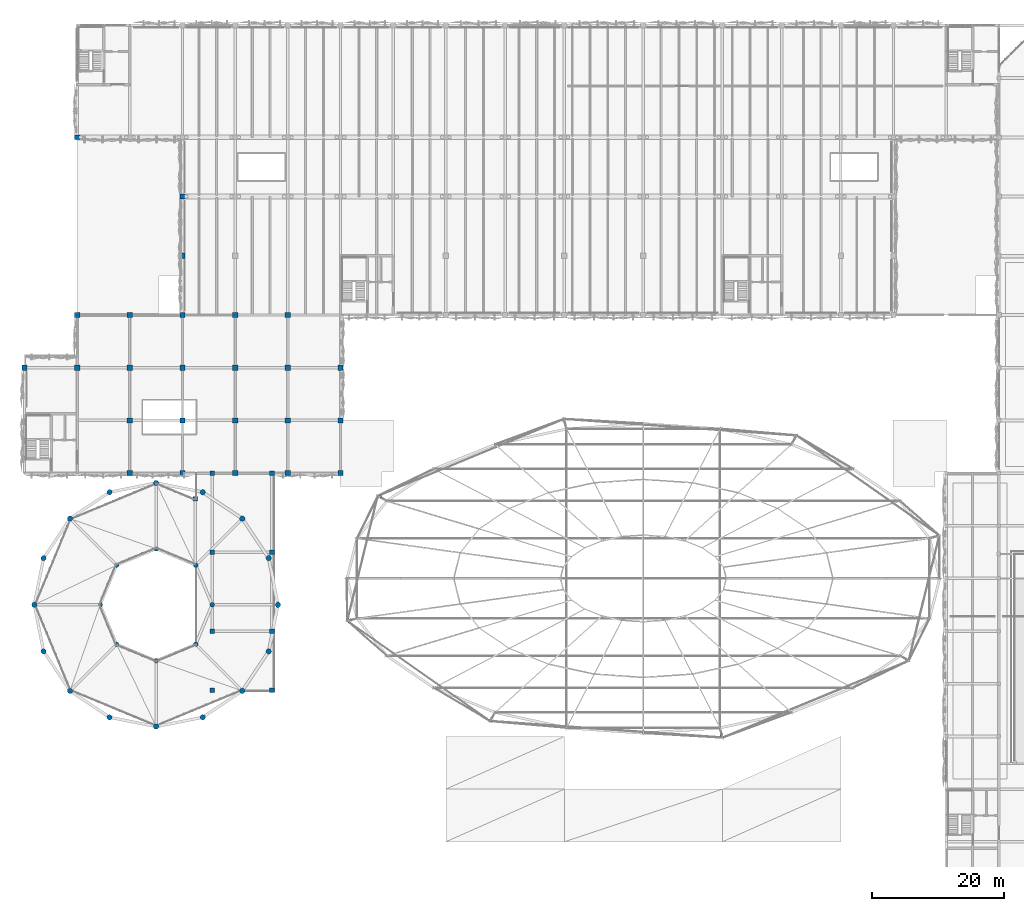
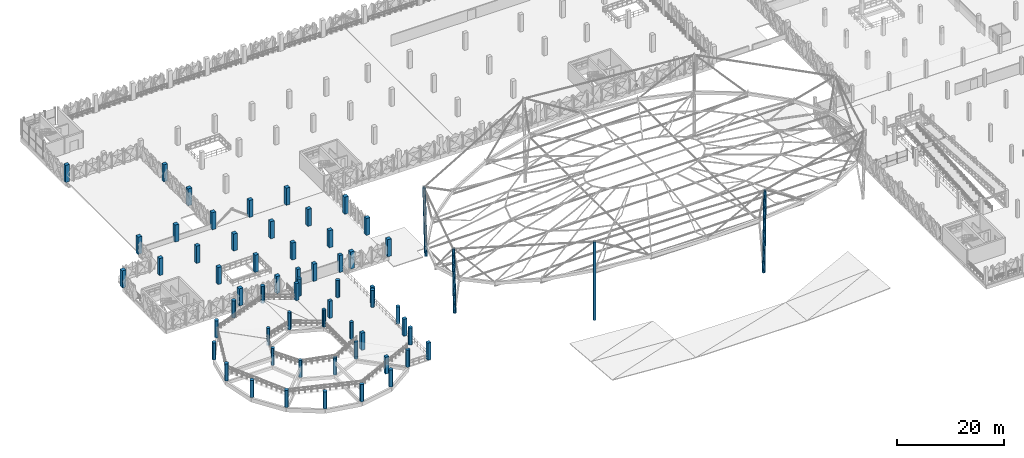
# One storey, part 1 of 96: 62 columns.
"""IFC4 building model written with IfcOpenShell, lengths in metres."""

from ifc_helpers import new_model, si_unit, derived_unit, direction, frame, origin, origin_2d, place, context, subcontext, project, spatial, rectangle, circle, hollow_circle, extrude, material, material_profile, profile_set, type_object, element, save


model = new_model("IFC4")

# Units and contexts
model_context = context("Model", 3, precision=1e-05, world=origin(), true_north=direction((0.0, 1.0)))
body_context = subcontext(model_context, "Body", "Model", "MODEL_VIEW")
ifc_project = project(units=[si_unit("LENGTHUNIT", "METRE"), si_unit("AREAUNIT", "SQUARE_METRE"), si_unit("VOLUMEUNIT", "CUBIC_METRE"), si_unit("PLANEANGLEUNIT", "RADIAN"), si_unit("MASSUNIT", "GRAM", prefix="KILO"), si_unit("THERMODYNAMICTEMPERATUREUNIT", "KELVIN"), derived_unit("THERMALTRANSMITTANCEUNIT", [(si_unit("POWERUNIT", "WATT"), 1), (si_unit("AREAUNIT", "SQUARE_METRE"), -1), (si_unit("THERMODYNAMICTEMPERATUREUNIT", "KELVIN"), -1)])], contexts=[model_context])

# Site, building, storey
site_placement = place(None, origin())
site = spatial("IfcSite", under=ifc_project, at=site_placement, CompositionType="ELEMENT")
building_placement = place(site_placement, origin())
building = spatial("IfcBuilding", under=site, at=building_placement, Name="Haiyu Intermodal Mobility Hub", CompositionType="ELEMENT")
storey_placement = place(building_placement, frame((0.0, 0.0, 9.5)))
storey = spatial("IfcBuildingStorey", under=building, at=storey_placement, Name="L02", CompositionType="ELEMENT", Elevation=9.5)

# Columns
ifc_material_1 = material(Name="Precast concrete C40", Category="concrete")
ifc_material_profile_1 = material_profile(ifc_material_1, rectangle(XDim=0.800048828125, YDim=0.800048828125, at=origin_2d()), Name="RC800x800")
ifc_profile_set_1 = profile_set([ifc_material_profile_1], Name="Precast concrete C40")
column_type_1 = type_object("IfcColumnType", Name="COL-CC02", PredefinedType="COLUMN", material=ifc_profile_set_1)
for number, where, z_axis, x_axis, name in (
    (1, (38.0, 113.0, 0.0), (0.0, 0.0, 1.0), (1.0, 0.0, 0.0), "Column V3S-4N L02"),
    (2, (22.0, 96.0, 0.0), (0.0, 0.0, 1.0), (1.0, 0.0, 0.0), "Column V4W-2L L02"),
    (3, (30.0, 88.0, 0.0), (0.0, 0.0, 1.0), (1.0, 0.0, 0.0), "Column V4W-3K L02"),
    (4, (30.0, 96.0, 0.0), (0.0, 0.0, 1.0), (1.0, 0.0, 0.0), "Column V4W-3L L02"),
    (5, (38.0, 88.0, 0.0), (0.0, 0.0, 1.0), (1.0, 0.0, 0.0), "Column V4W-4K L02"),
    (6, (38.0, 96.0, 0.0), (0.0, 0.0, 1.0), (1.0, 0.0, 0.0), "Column V4W-4L L02"),
    (7, (46.0, 88.0, 0.0), (0.0, 0.0, 1.0), (1.0, 0.0, 0.0), "Column V4W-5K L02"),
    (8, (46.0, 96.0, 0.0), (0.0, 0.0, 1.0), (1.0, 0.0, 0.0), "Column V4W-5L L02"),
    (9, (54.0, 88.0, 0.0), (0.0, 0.0, 1.0), (1.0, 0.0, 0.0), "Column V4W-6K L02"),
    (10, (54.0, 96.0, 0.0), (0.0, 0.0, 1.0), (1.0, 0.0, 0.0), "Column V4W-6L L02"),
):
    element("IfcColumn", number, at=place(storey_placement, frame(where, z_axis=z_axis, x_axis=x_axis)), inside=storey, type_object=column_type_1, Name=name, PredefinedType="COLUMN", context=body_context, shape_type="SweptSolid", body=[
        extrude(rectangle(XDim=0.800048828125, YDim=0.800048828125, at=origin_2d()), origin(), (0.0, 0.0, 1.0), 3.89990234375),
    ])
ifc_material_profile_2 = material_profile(ifc_material_1, rectangle(XDim=0.800048828125, YDim=0.800048828125, at=origin_2d()), Name="RC800x800")
ifc_profile_set_2 = profile_set([ifc_material_profile_2], Name="Precast concrete C40")
column_type_2 = type_object("IfcColumnType", Name="COL-CC02-EXT", PredefinedType="COLUMN", material=ifc_profile_set_2)
for number, where, z_axis, x_axis, name in (
    (11, (22.0, 104.0, 0.0), (0.0, 0.0, 1.0), (1.0, 0.0, 0.0), "Column V4-2M L02"),
    (12, (30.0, 104.0, 0.0), (0.0, 0.0, 1.0), (1.0, 0.0, 0.0), "Column V4-3M L02"),
    (13, (38.0, 104.0, 0.0), (0.0, 0.0, 1.0), (1.0, 0.0, 0.0), "Column V4-4M L02"),
    (14, (46.0, 104.0, 0.0), (0.0, 0.0, 1.0), (1.0, 0.0, 0.0), "Column V4-5M L02"),
    (15, (54.0, 104.0, 0.0), (0.0, 0.0, 1.0), (1.0, 0.0, 0.0), "Column V4-6M L02"),
    (16, (14.0, 96.0, 0.0), (0.0, 0.0, 1.0), (1.0, 0.0, 0.0), "Column V4W-1L L02"),
    (17, (30.0, 80.0, 0.0), (0.0, 0.0, 1.0), (1.0, 0.0, 0.0), "Column V4W-3J L02"),
    (18, (38.0, 80.0, 0.0), (0.0, 0.0, 1.0), (1.0, 0.0, 0.0), "Column V4W-4J L02"),
    (19, (46.0, 80.0, 0.0), (0.0, 0.0, 1.0), (1.0, 0.0, 0.0), "Column V4W-5J L02"),
    (20, (54.0, 80.0, 0.0), (0.0, 0.0, 1.0), (1.0, 0.0, 0.0), "Column V4W-6J L02"),
    (21, (62.0, 80.0, 0.0), (0.0, 0.0, 1.0), (1.0, 0.0, 0.0), "Column V4W-7J L02"),
    (22, (62.0, 88.0, 0.0), (0.0, 0.0, 1.0), (1.0, 0.0, 0.0), "Column V4W-7K L02"),
    (23, (62.0, 96.0, 0.0), (0.0, 0.0, 1.0), (1.0, 0.0, 0.0), "Column V4W-7L L02"),
):
    element("IfcColumn", number, at=place(storey_placement, frame(where, z_axis=z_axis, x_axis=x_axis)), inside=storey, type_object=column_type_2, Name=name, PredefinedType="COLUMN", context=body_context, shape_type="SweptSolid", body=[
        extrude(rectangle(XDim=0.800048828125, YDim=0.800048828125, at=origin_2d()), origin(), (0.0, 0.0, 1.0), 3.89990234375),
    ])
ifc_material_2 = material(Name="Concrete C40", Category="concrete")
ifc_material_profile_3 = material_profile(ifc_material_2, rectangle(XDim=0.699951171875, YDim=0.699951171875, at=origin_2d()), Name="RC700x700")
ifc_profile_set_3 = profile_set([ifc_material_profile_3], Name="Concrete C40")
column_type_3 = type_object("IfcColumnType", Name="COL-CC08", PredefinedType="COLUMN", material=ifc_profile_set_3)
for number, where, z_axis, x_axis, name in (
    (24, (51.60009765625, 47.0, 0.0), (0.0, 0.0, 1.0), (1.0, 0.0, 0.0), "Column V2L-1 L02"),
    (25, (42.5, 47.0, 0.0), (0.0, 0.0, 1.0), (1.0, 0.0, 0.0), "Column V2LW-1 L02"),
    (26, (51.60009765625, 56.0, 0.0), (0.0, 0.0, 1.0), (1.0, 0.0, 0.0), "Column V2L-2 L02"),
    (27, (42.5, 56.0, 0.0), (0.0, 0.0, 1.0), (1.0, 0.0, 0.0), "Column V2LW-2 L02"),
    (28, (51.60009765625, 68.0, 0.0), (0.0, 0.0, 1.0), (1.0, 0.0, 0.0), "Column V2L-3 L02"),
    (29, (42.5, 68.0, 0.0), (0.0, 0.0, 1.0), (1.0, 0.0, 0.0), "Column V2LW-3 L02"),
    (30, (51.60009765625, 80.0, 0.0), (0.0, 0.0, 1.0), (1.0, 0.0, 0.0), "Column V2L-4 L02"),
    (31, (42.5, 80.0, 0.0), (0.0, 0.0, 1.0), (1.0, 0.0, 0.0), "Column V2LW-4 L02"),
    (32, (39.93994140625, 76.10009765625, 0.0), (0.0, 0.0, 1.0), (1.0, 0.0, 0.0), "Column V2LW-N L02"),
):
    element("IfcColumn", number, at=place(storey_placement, frame(where, z_axis=z_axis, x_axis=x_axis)), inside=storey, type_object=column_type_3, Name=name, PredefinedType="COLUMN", context=body_context, shape_type="SweptSolid", body=[
        extrude(rectangle(XDim=0.699951171875, YDim=0.699951171875, at=origin_2d()), origin(), (0.0, 0.0, 1.0), 3.89990234375),
    ])
ifc_material_profile_4 = material_profile(ifc_material_1, rectangle(XDim=0.800048828125, YDim=0.699951171875, at=origin_2d()), Name="C800x700")
ifc_profile_set_4 = profile_set([ifc_material_profile_4], Name="Precast concrete C40")
column_type_4 = type_object("IfcColumnType", Name="COL-CC20", PredefinedType="COLUMN", material=ifc_profile_set_4)
column_1_placement = place(storey_placement, frame((38.0, 122.0, 0.0), z_axis=(0.0, 0.0, 1.0), x_axis=(1.0, 0.0, 0.0)))
element("IfcColumn", 33, at=column_1_placement, inside=storey, type_object=column_type_4, Name="Column V4-4P L02", PredefinedType="COLUMN", context=body_context, shape_type="SweptSolid", body=[
    extrude(rectangle(XDim=0.800048828125, YDim=0.699951171875, at=origin_2d()), origin(), (0.0, 0.0, 1.0), 3.89990234375),
])
ifc_material_profile_5 = material_profile(ifc_material_1, rectangle(XDim=0.800048828125, YDim=0.699951171875, at=origin_2d()), Name="C800x700")
ifc_profile_set_5 = profile_set([ifc_material_profile_5], Name="Precast concrete C40")
column_type_5 = type_object("IfcColumnType", Name="COL-CC20-EXT", PredefinedType="COLUMN", material=ifc_profile_set_5)
column_2_placement = place(storey_placement, frame((22.0, 131.0, 0.0), z_axis=(0.0, 0.0, 1.0), x_axis=(1.0, 0.0, 0.0)))
element("IfcColumn", 34, at=column_2_placement, inside=storey, type_object=column_type_5, Name="Column V4-2Q L02", PredefinedType="COLUMN", context=body_context, shape_type="SweptSolid", body=[
    extrude(rectangle(XDim=0.800048828125, YDim=0.699951171875, at=origin_2d()), origin(), (0.0, 0.0, 1.0), 3.89990234375),
])
ifc_material_profile_6 = material_profile(ifc_material_2, circle(Radius=0.39990234375, at=origin_2d()), Name="RCCOL-D800")
ifc_profile_set_6 = profile_set([ifc_material_profile_6], Name="Concrete C40")
column_type_6 = type_object("IfcColumnType", Name="COL-CR01-EXT", PredefinedType="COLUMN", material=ifc_profile_set_6)
for number, where, z_axis, x_axis, name in (
    (35, (52.5, 60.0, 0.0), (0.0, 0.0, 1.0), (1.0, 0.0, 0.0), "Column V2O-01 L02"),
    (36, (51.092041015625, 67.080078125, 0.0), (0.0, 0.0, 1.0), (1.0, 0.0, 0.0), "Column V2O-02 L02"),
    (37, (47.0810546875, 73.0810546875, 0.0), (0.0, 0.0, 1.0), (1.0, 0.0, 0.0), "Column V2O-03 L02"),
    (38, (41.080078125, 77.092041015625, 0.0), (0.0, 0.0, 1.0), (1.0, 0.0, 0.0), "Column V2O-04 L02"),
    (39, (34.0, 78.5, 0.0), (0.0, 0.0, 1.0), (1.0, 0.0, 0.0), "Column V2O-05 L02"),
    (40, (26.919921875, 77.092041015625, 0.0), (0.0, 0.0, 1.0), (1.0, 0.0, 0.0), "Column V2O-06 L02"),
    (41, (20.9189453125, 73.0810546875, 0.0), (0.0, 0.0, 1.0), (1.0, 0.0, 0.0), "Column V2O-07 L02"),
    (42, (16.907958984375, 67.080078125, 0.0), (0.0, 0.0, 1.0), (1.0, 0.0, 0.0), "Column V2O-08 L02"),
    (43, (15.5, 60.0, 0.0), (0.0, 0.0, 1.0), (1.0, 0.0, 0.0), "Column V2O-09 L02"),
    (44, (16.907958984375, 52.919921875, 0.0), (0.0, 0.0, 1.0), (1.0, 0.0, 0.0), "Column V2O-10 L02"),
    (45, (20.9189453125, 46.9189453125, 0.0), (0.0, 0.0, 1.0), (1.0, 0.0, 0.0), "Column V2O-11 L02"),
    (46, (26.919921875, 42.907958984375, 0.0), (0.0, 0.0, 1.0), (1.0, 0.0, 0.0), "Column V2O-12 L02"),
    (47, (34.0, 41.5, 0.0), (0.0, 0.0, 1.0), (1.0, 0.0, 0.0), "Column V2O-13 L02"),
    (48, (41.080078125, 42.907958984375, 0.0), (0.0, 0.0, 1.0), (1.0, 0.0, 0.0), "Column V2O-14 L02"),
    (49, (47.0810546875, 46.9189453125, 0.0), (0.0, 0.0, 1.0), (1.0, 0.0, 0.0), "Column V2O-15 L02"),
    (50, (51.092041015625, 52.919921875, 0.0), (0.0, 0.0, 1.0), (1.0, 0.0, 0.0), "Column V2O-16 L02"),
):
    element("IfcColumn", number, at=place(storey_placement, frame(where, z_axis=z_axis, x_axis=x_axis)), inside=storey, type_object=column_type_6, Name=name, PredefinedType="COLUMN", context=body_context, shape_type="SweptSolid", body=[
        extrude(circle(Radius=0.39990234375, at=origin_2d()), origin(), (0.0, 0.0, 1.0), 3.89990234375),
    ])
ifc_material_profile_7 = material_profile(ifc_material_2, circle(Radius=0.35009765625, at=origin_2d()), Name="RCCOL-D700")
ifc_profile_set_7 = profile_set([ifc_material_profile_7], Name="Concrete C40")
column_type_7 = type_object("IfcColumnType", Name="COL-CR02", PredefinedType="COLUMN", material=ifc_profile_set_7)
for number, where, z_axis, x_axis, name in (
    (51, (42.5, 60.0, 0.0), (0.0, 0.0, 1.0), (1.0, 0.0, 0.0), "Column V2I-01 L02"),
    (52, (40.010009765625, 66.010009765625, 0.0), (0.0, 0.0, 1.0), (1.0, 0.0, 0.0), "Column V2I-02 L02"),
    (53, (34.0, 68.5, 0.0), (0.0, 0.0, 1.0), (1.0, 0.0, 0.0), "Column V2I-03 L02"),
    (54, (27.989990234375, 66.010009765625, 0.0), (0.0, 0.0, 1.0), (1.0, 0.0, 0.0), "Column V2I-04 L02"),
    (55, (25.5, 60.0, 0.0), (0.0, 0.0, 1.0), (1.0, 0.0, 0.0), "Column V2I-05 L02"),
    (56, (27.989990234375, 53.989990234375, 0.0), (0.0, 0.0, 1.0), (1.0, 0.0, 0.0), "Column V2I-06 L02"),
    (57, (34.0, 51.5, 0.0), (0.0, 0.0, 1.0), (1.0, 0.0, 0.0), "Column V2I-07 L02"),
    (58, (40.010009765625, 53.989990234375, 0.0), (0.0, 0.0, 1.0), (1.0, 0.0, 0.0), "Column V2I-08 L02"),
):
    element("IfcColumn", number, at=place(storey_placement, frame(where, z_axis=z_axis, x_axis=x_axis)), inside=storey, type_object=column_type_7, Name=name, PredefinedType="COLUMN", context=body_context, shape_type="SweptSolid", body=[
        extrude(circle(Radius=0.35009765625, at=origin_2d()), origin(), (0.0, 0.0, 1.0), 3.89990234375),
    ])
ifc_material_3 = material(Name="Steel Q355C", Category="steel")
ifc_material_profile_8 = material_profile(ifc_material_3, hollow_circle(Radius=0.304931640625, WallThickness=0.02001953125, at=origin_2d()), Name="CHS610x20")
ifc_profile_set_8 = profile_set([ifc_material_profile_8], Name="Steel Q355C")
column_type_8 = type_object("IfcColumnType", Name="COL-SC01-EXT", PredefinedType="COLUMN", material=ifc_profile_set_8)
column_3_placement = place(storey_placement, frame((67.989990234375, 76.35009765625, 0.0), z_axis=(-0.019293266814, 0.011131328799, 0.999751900911), x_axis=(-0.499742594395, -0.866173965983, 0.0)))
element("IfcColumn", 59, at=column_3_placement, inside=storey, type_object=column_type_8, Name="Inclined Cable-Net Steel Mast MC-04", PredefinedType="COLUMN", context=body_context, shape_type="SweptSolid", body=[
    extrude(hollow_circle(Radius=0.304931640625, WallThickness=0.02001953125, at=origin_2d()), origin(), (0.0, 0.0, 1.0), 15.703857421875),
])
column_4_placement = place(storey_placement, frame((63.3740234375, 57.60693359375, 0.0), z_axis=(-0.022806646532, -0.006059816552, 0.999721528976), x_axis=(0.256793903882, -0.966466187163, 0.0)))
element("IfcColumn", 60, at=column_4_placement, inside=storey, type_object=column_type_8, Name="Inclined Cable-Net Steel Mast MC-05", PredefinedType="COLUMN", context=body_context, shape_type="SweptSolid", body=[
    extrude(hollow_circle(Radius=0.304931640625, WallThickness=0.02001953125, at=origin_2d()), origin(), (0.0, 0.0, 1.0), 14.826171875),
])
column_5_placement = place(storey_placement, frame((84.89990234375, 42.60888671875, 0.0), z_axis=(-0.009655862533, -0.016735929334, 0.999813319069), x_axis=(0.866173965983, -0.499742594395, 0.0)))
element("IfcColumn", 61, at=column_5_placement, inside=storey, type_object=column_type_8, Name="Inclined Cable-Net Steel Mast MC-06", PredefinedType="COLUMN", context=body_context, shape_type="SweptSolid", body=[
    extrude(hollow_circle(Radius=0.304931640625, WallThickness=0.02001953125, at=origin_2d()), origin(), (0.0, 0.0, 1.0), 18.103515625),
])
column_6_placement = place(storey_placement, frame((119.95703125, 40.14208984375, 0.0), z_axis=(0.004797598443, -0.017814138991, 0.999829805267), x_axis=(0.965595561402, 0.260048479713, 0.0)))
element("IfcColumn", 62, at=column_6_placement, inside=storey, type_object=column_type_8, Name="Inclined Cable-Net Steel Mast MC-07", PredefinedType="COLUMN", context=body_context, shape_type="SweptSolid", body=[
    extrude(hollow_circle(Radius=0.304931640625, WallThickness=0.02001953125, at=origin_2d()), origin(), (0.0, 0.0, 1.0), 18.981201171875),
])

save(model, "model.ifc")
